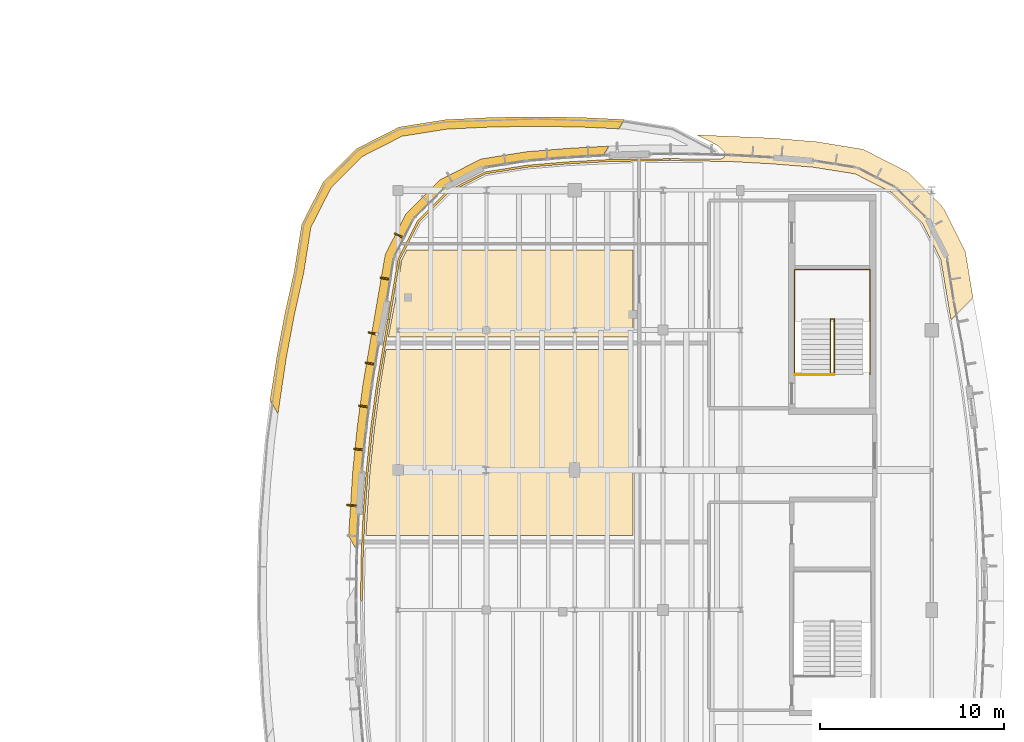
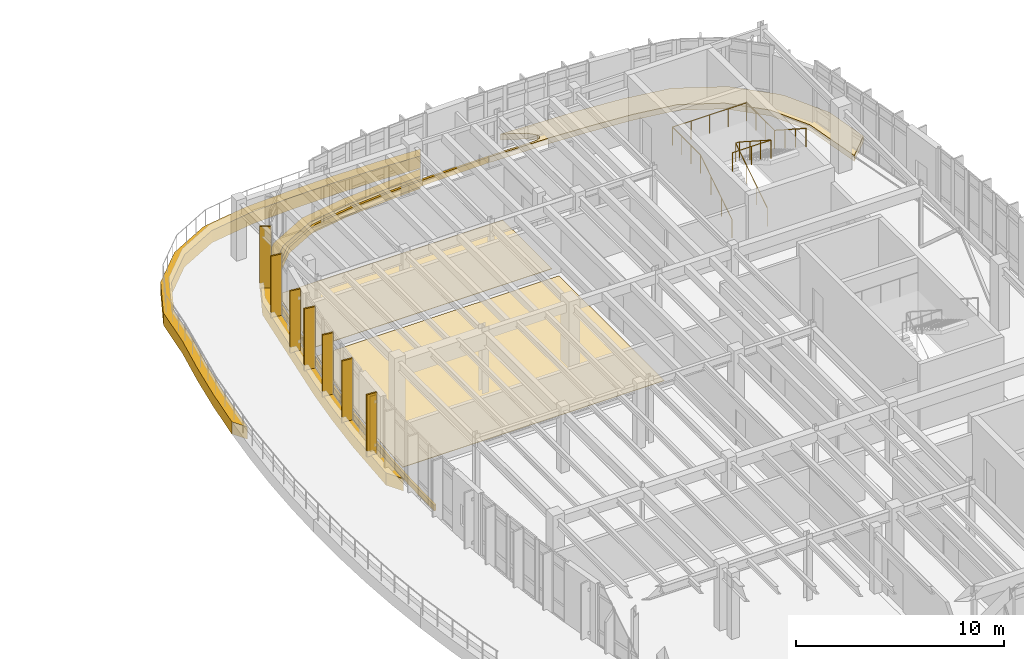
# One storey, part 103 of 105: 14 coverings, 3 railings, 2 shading devices.
"""IFC4 building model written with IfcOpenShell, lengths in metres."""

from ifc_helpers import new_model, si_unit, direction, frame, origin, origin_2d, place, context, subcontext, project, spatial, polyline, rectangle, circle, outline, extrude, material, layer, layer_set, type_object, element, save


model = new_model("IFC4")

# Units and contexts
model_context = context("Model", 3, precision=1e-05, world=origin(), true_north=direction((0.0, 1.0)))
body_context = subcontext(model_context, "Body", "Model", "MODEL_VIEW")
ifc_project = project(units=[si_unit("LENGTHUNIT", "METRE"), si_unit("AREAUNIT", "SQUARE_METRE"), si_unit("VOLUMEUNIT", "CUBIC_METRE"), si_unit("PLANEANGLEUNIT", "RADIAN"), si_unit("MASSUNIT", "GRAM", prefix="KILO")], contexts=[model_context])

# Site, building, storey
site_placement = place(None, origin())
site = spatial("IfcSite", under=ifc_project, at=site_placement, CompositionType="ELEMENT")
building_placement = place(site_placement, origin())
building = spatial("IfcBuilding", under=site, at=building_placement, Name="Corveleigh Park Community Centre", CompositionType="ELEMENT")
storey_placement = place(building_placement, frame((0.0, 0.0, 8.699951171875)))
storey = spatial("IfcBuildingStorey", under=building, at=storey_placement, Name="L02", CompositionType="ELEMENT", Elevation=8.699951171875)

# Coverings
ifc_material_1 = material(Name="Warm buff ribbed architectural cladding", Category="masonry")
ifc_layer_1 = layer(ifc_material_1, 0.0849609375, Name="Warm buff ribbed architectural cladding", Category="masonry")
ifc_layer_set_1 = layer_set([ifc_layer_1], Name="Warm buff ribbed architectural cladding")
covering_type_1 = type_object("IfcCoveringType", Name="COV-CLD-BUF", PredefinedType="CLADDING", material=ifc_layer_set_1)
covering_1_placement = place(storey_placement, origin())
element("IfcCovering", 1, at=covering_1_placement, inside=storey, type_object=covering_type_1, Name="V4 L02 Brise-soleil blade 408", PredefinedType="CLADDING", context=body_context, shape_type="SweptSolid", body=[
    extrude(outline(polyline([(139.7099609375, 101.56103515625), (139.7490234375, 101.636962890625), (139.23193359375, 101.89990234375), (139.193115234375, 101.823974609375), (139.7099609375, 101.56103515625)])), origin(), (0.0, 0.0, 1.0), 3.636962890625),
])
covering_2_placement = place(storey_placement, origin())
element("IfcCovering", 2, at=covering_2_placement, inside=storey, type_object=covering_type_1, Name="V4 L02 Brise-soleil blade 409", PredefinedType="CLADDING", context=body_context, shape_type="SweptSolid", body=[
    extrude(outline(polyline([(138.9970703125, 99.31494140625), (139.010009765625, 99.39892578125), (138.43701171875, 99.489990234375), (138.424072265625, 99.406005859375), (138.9970703125, 99.31494140625)])), origin(), (0.0, 0.0, 1.0), 3.636962890625),
])
covering_3_placement = place(storey_placement, origin())
element("IfcCovering", 3, at=covering_3_placement, inside=storey, type_object=covering_type_1, Name="V4 L02 Brise-soleil blade 410", PredefinedType="CLADDING", context=body_context, shape_type="SweptSolid", body=[
    extrude(outline(polyline([(138.29296875, 96.333984375), (138.30908203125, 96.4169921875), (137.782958984375, 96.51806640625), (137.76708984375, 96.43505859375), (138.29296875, 96.333984375)])), origin(), (0.0, 0.0, 1.0), 3.636962890625),
])
covering_4_placement = place(storey_placement, origin())
element("IfcCovering", 4, at=covering_4_placement, inside=storey, type_object=covering_type_1, Name="V4 L02 Brise-soleil blade 411", PredefinedType="CLADDING", context=body_context, shape_type="SweptSolid", body=[
    extrude(outline(polyline([(138.180908203125, 94.695068359375), (138.195068359375, 94.779052734375), (137.6220703125, 94.8720703125), (137.60791015625, 94.7880859375), (138.180908203125, 94.695068359375)])), origin(), (0.0, 0.0, 1.0), 3.636962890625),
])
covering_5_placement = place(storey_placement, origin())
element("IfcCovering", 5, at=covering_5_placement, inside=storey, type_object=covering_type_1, Name="V4 L02 Brise-soleil blade 412", PredefinedType="CLADDING", context=body_context, shape_type="SweptSolid", body=[
    extrude(outline(polyline([(137.840087890625, 92.3759765625), (137.85107421875, 92.4599609375), (137.27587890625, 92.535888671875), (137.264892578125, 92.451904296875), (137.840087890625, 92.3759765625)])), origin(), (0.0, 0.0, 1.0), 3.636962890625),
])
covering_6_placement = place(storey_placement, origin())
element("IfcCovering", 6, at=covering_6_placement, inside=storey, type_object=covering_type_1, Name="V4 L02 Brise-soleil blade 413", PredefinedType="CLADDING", context=body_context, shape_type="SweptSolid", body=[
    extrude(outline(polyline([(137.568115234375, 90.048095703125), (137.575927734375, 90.132080078125), (136.9990234375, 90.19189453125), (136.990966796875, 90.10693359375), (137.568115234375, 90.048095703125)])), origin(), (0.0, 0.0, 1.0), 3.636962890625),
])
covering_7_placement = place(storey_placement, origin())
element("IfcCovering", 7, at=covering_7_placement, inside=storey, type_object=covering_type_1, Name="V4 L02 Brise-soleil blade 414", PredefinedType="CLADDING", context=body_context, shape_type="SweptSolid", body=[
    extrude(outline(polyline([(137.135986328125, 87.013916015625), (137.14208984375, 87.09912109375), (136.60888671875, 87.137939453125), (136.60302734375, 87.052978515625), (137.135986328125, 87.013916015625)])), origin(), (0.0, 0.0, 1.0), 3.636962890625),
])
ifc_material_2 = material(Name="White architectural fascia cladding", Category="masonry")
ifc_layer_2 = layer(ifc_material_2, 0.074951171875, Name="White architectural fascia cladding", Category="masonry")
ifc_layer_set_2 = layer_set([ifc_layer_2], Name="White architectural fascia cladding")
covering_type_2 = type_object("IfcCoveringType", Name="COV-CLD-WHT", PredefinedType="CLADDING", material=ifc_layer_set_2)
covering_8_placement = place(storey_placement, frame((0.0, 0.0, -0.679931640625)))
element("IfcCovering", 8, at=covering_8_placement, inside=storey, type_object=covering_type_2, Name="Step 2 Library Reading Terrace Sweeping White Edge Band 2", PredefinedType="CLADDING", context=body_context, shape_type="SweptSolid", body=[
    extrude(outline(polyline([(132.446044921875, 92.805908203125), (132.820068359375, 95.219970703125), (133.2548828125, 97.52099609375), (133.760986328125, 99.806884765625), (134.1630859375, 102.345947265625), (135.333984375, 104.64404296875), (137.156005859375, 106.466064453125), (139.4541015625, 107.636962890625), (141.993896484375, 108.0400390625), (144.447021484375, 108.157958984375), (146.89892578125, 108.197021484375), (149.35205078125, 108.157958984375), (151.68408203125, 108.0458984375), (151.39208984375, 107.5390625), (149.3359375, 107.637939453125), (146.89990234375, 107.677001953125), (144.464111328125, 107.637939453125), (142.049072265625, 107.52197265625), (139.615966796875, 107.136962890625), (137.466064453125, 106.041015625), (135.759033203125, 104.333984375), (134.6630859375, 102.18408203125), (134.27392578125, 99.72509765625), (133.763916015625, 97.41796875), (133.3330078125, 95.132080078125), (132.8759765625, 92.05908203125), (132.446044921875, 92.805908203125)])), origin(), (0.0, 0.0, 1.0), 0.719970703125),
])
covering_9_placement = place(storey_placement, frame((0.0, 0.0, -0.679931640625)))
element("IfcCovering", 9, at=covering_9_placement, inside=storey, type_object=covering_type_2, Name="Step 2 Library Reading Terrace Sweeping White Edge Band 3", PredefinedType="CLADDING", context=body_context, shape_type="SweptSolid", body=[
    extrude(outline(polyline([(148.6259765625, 105.958984375), (146.404052734375, 105.77490234375), (144.05908203125, 105.403076171875), (141.946044921875, 104.326904296875), (140.27099609375, 102.65087890625), (139.196044921875, 100.5400390625), (138.0048828125, 93.5791015625), (137.697021484375, 91.2548828125), (137.45703125, 88.924072265625), (137.284912109375, 86.5859375), (137.196044921875, 84.568115234375), (136.712890625, 85.406982421875), (136.93994140625, 88.97705078125), (137.180908203125, 91.322998046875), (137.489013671875, 93.64794921875), (138.701904296875, 100.7041015625), (139.81005859375, 102.89306640625), (141.639892578125, 104.748046875), (143.89794921875, 105.89892578125), (146.35888671875, 106.29296875), (148.596923828125, 106.47802734375), (150.85107421875, 106.60205078125), (150.541015625, 106.06494140625), (148.6259765625, 105.958984375)])), origin(), (0.0, 0.0, 1.0), 0.719970703125),
])
covering_10_placement = place(storey_placement, frame((0.0, 0.0, -0.300048828125)))
element("IfcCovering", 10, at=covering_10_placement, inside=storey, type_object=covering_type_2, Name="V4 L02 Horizontal Sun-Hood 2", PredefinedType="CLADDING", context=body_context, shape_type="SweptSolid", body=[
    extrude(outline(polyline([(159.833984375, 107.031982421875), (162.1640625, 106.8369140625), (164.673095703125, 106.427001953125), (167.083984375, 105.197998046875), (168.89111328125, 103.408935546875), (169.0849609375, 103.14404296875), (170.22705078125, 100.873046875), (170.638916015625, 98.35595703125), (169.444091796875, 97.158935546875), (168.89111328125, 100.43994140625), (167.862060546875, 102.458984375), (166.259033203125, 104.06201171875), (164.239990234375, 105.091064453125), (161.9580078125, 105.451904296875), (159.751953125, 105.635009765625), (157.531982421875, 105.757080078125), (154.2119140625, 105.819091796875), (154.2119140625, 105.9208984375), (156.910888671875, 105.889892578125), (157.10595703125, 105.97998046875), (157.1630859375, 106.114013671875), (157.135009765625, 106.258056640625), (156.777099609375, 106.6279296875), (155.64794921875, 107.2099609375), (159.833984375, 107.031982421875)])), origin(), (0.0, 0.0, 1.0), 0.340087890625),
])
covering_11_placement = place(storey_placement, frame((0.0, 0.0, -0.300048828125)))
element("IfcCovering", 11, at=covering_11_placement, inside=storey, type_object=covering_type_2, Name="V4 L02 Horizontal Sun-Hood 3", PredefinedType="CLADDING", context=body_context, shape_type="SweptSolid", body=[
    extrude(outline(polyline([(139.39794921875, 100.472900390625), (140.443115234375, 102.52587890625), (142.071044921875, 104.155029296875), (144.1240234375, 105.200927734375), (146.428955078125, 105.56689453125), (148.639892578125, 105.75), (150.863037109375, 105.8720703125), (154.18798828125, 105.9208984375), (154.18798828125, 105.819091796875), (150.867919921875, 105.757080078125), (148.64794921875, 105.635009765625), (146.44189453125, 105.451904296875), (144.159912109375, 105.091064453125), (142.14111328125, 104.06201171875), (140.5380859375, 102.458984375), (139.509033203125, 100.43994140625), (138.9560546875, 97.158935546875), (138.84912109375, 97.26611328125), (139.39794921875, 100.472900390625)])), origin(), (0.0, 0.0, 1.0), 0.340087890625),
])
covering_12_placement = place(storey_placement, frame((0.0, 0.0, -0.300048828125)))
element("IfcCovering", 12, at=covering_12_placement, inside=storey, type_object=covering_type_2, Name="V4 L02 Horizontal Sun-Hood 4", PredefinedType="CLADDING", context=body_context, shape_type="SweptSolid", body=[
    extrude(outline(polyline([(137.39208984375, 84.238037109375), (137.4951171875, 86.572998046875), (137.666015625, 88.906005859375), (137.905029296875, 91.23095703125), (138.2119140625, 93.547119140625), (138.843994140625, 97.239990234375), (138.950927734375, 97.134033203125), (138.325927734375, 93.531982421875), (138.02001953125, 91.217041015625), (137.781005859375, 88.89501953125), (137.60888671875, 86.56591796875), (137.507080078125, 84.235107421875), (137.472900390625, 81.907958984375), (137.35791015625, 81.907958984375), (137.39208984375, 84.238037109375)])), origin(), (0.0, 0.0, 1.0), 0.340087890625),
])
ifc_material_3 = material(Name="Acoustic linoleum flooring", Category="wood")
ifc_layer_3 = layer(ifc_material_3, 0.02490234375, Name="Acoustic linoleum flooring", Category="wood")
ifc_layer_set_3 = layer_set([ifc_layer_3], Name="Acoustic linoleum flooring")
covering_type_3 = type_object("IfcCoveringType", Name="COV-FLR-LIN", PredefinedType="FLOORING", material=ifc_layer_set_3)
covering_13_placement = place(storey_placement, origin())
element("IfcCovering", 13, at=covering_13_placement, inside=storey, type_object=covering_type_3, Name="Local History Archive and Study flooring", PredefinedType="FLOORING", context=body_context, shape_type="SweptSolid", body=[
    extrude(outline(polyline([(138.4150390625, 93.51904296875), (138.7470703125, 95.56005859375), (152.159912109375, 95.56005859375), (152.159912109375, 85.43994140625), (137.64990234375, 85.43994140625), (137.8701171875, 88.886962890625), (138.10888671875, 91.20703125), (138.4150390625, 93.51904296875)])), origin(), (0.0, 0.0, 1.0), 0.025146484375),
])
covering_14_placement = place(storey_placement, origin())
element("IfcCovering", 14, at=covering_14_placement, inside=storey, type_object=covering_type_3, Name="Library Staff Workroom flooring", PredefinedType="FLOORING", context=body_context, shape_type="SweptSolid", body=[
    extrude(outline(polyline([(139.23388671875, 98.126953125), (139.595947265625, 100.410888671875), (139.875, 100.9599609375), (152.159912109375, 100.9599609375), (152.159912109375, 96.239990234375), (138.8701171875, 96.239990234375), (139.23388671875, 98.126953125)])), origin(), (0.0, 0.0, 1.0), 0.025146484375),
])

# Railings
ifc_material_4 = material(Name="Stainless steel 316 balustrade", Category="steel")
railing_type = type_object("IfcRailingType", Name="RLG-BAL-INT-1100", PredefinedType="BALUSTRADE", material=ifc_material_4)
railing_1_placement = place(storey_placement, frame((162.89990234375, 94.179931640625, 0.0)))
element("IfcRailing", 15, at=railing_1_placement, inside=storey, type_object=railing_type, Name="Stair ST2 inner guard L02", PredefinedType="BALUSTRADE", context=body_context, shape_type="SweptSolid", body=[
    extrude(circle(Radius=0.02392578125, at=origin_2d()), frame((0.0, 0.0, 1.076171875), z_axis=(0.0, 0.84051886652, 0.541782276402), x_axis=(-1.0, 0.0, 0.0)), (0.0, 0.0, 1.0), 3.59912109375),
    extrude(circle(Radius=0.02392578125, at=origin_2d()), frame((0.0, 3.025146484375, 3.02587890625), z_axis=(1.0, 0.0, 0.0), x_axis=(0.0, 1.0, 0.0)), (0.0, 0.0, 1.0), 0.2001953125),
    extrude(circle(Radius=0.02392578125, at=origin_2d()), frame((0.2001953125, 3.025146484375, 3.02587890625), z_axis=(0.0, -0.840487976612, 0.541830195882), x_axis=(1.0, 0.0, 0.0)), (0.0, 0.0, 1.0), 3.599365234375),
    extrude(circle(Radius=0.02099609375, at=origin_2d()), origin(), (0.0, 0.0, 1.0), 1.052001953125),
    extrude(circle(Radius=0.02099609375, at=origin_2d()), frame((0.0, 1.00830078125, 0.64990234375)), (0.0, 0.0, 1.0), 1.052001953125),
    extrude(circle(Radius=0.02099609375, at=origin_2d()), frame((0.0, 2.016845703125, 1.300048828125)), (0.0, 0.0, 1.0), 1.052001953125),
    extrude(circle(Radius=0.02099609375, at=origin_2d()), frame((0.0, 3.025146484375, 1.949951171875)), (0.0, 0.0, 1.0), 1.052001953125),
    extrude(circle(Radius=0.02099609375, at=origin_2d()), frame((0.2001953125, 3.025146484375, 1.949951171875)), (0.0, 0.0, 1.0), 1.052001953125),
    extrude(circle(Radius=0.02099609375, at=origin_2d()), frame((0.2001953125, 2.016845703125, 2.60009765625)), (0.0, 0.0, 1.0), 1.052001953125),
    extrude(circle(Radius=0.02099609375, at=origin_2d()), frame((0.2001953125, 1.00830078125, 3.25)), (0.0, 0.0, 1.0), 1.052001953125),
    extrude(circle(Radius=0.02099609375, at=origin_2d()), frame((0.2001953125, 0.0, 3.900146484375)), (0.0, 0.0, 1.0), 1.052001953125),
])
railing_2_placement = place(storey_placement, frame((160.967041015625, 94.179931640625, 3.900146484375)))
element("IfcRailing", 16, at=railing_2_placement, inside=storey, type_object=railing_type, Name="Stair ST2 landing guard L02", PredefinedType="BALUSTRADE", context=body_context, shape_type="SweptSolid", body=[
    extrude(circle(Radius=0.02392578125, at=origin_2d()), frame((0.0, 0.0, 1.076171875), z_axis=(1.0, 0.0, 0.0), x_axis=(0.0, 1.0, 0.0)), (0.0, 0.0, 1.0), 2.133056640625),
    extrude(circle(Radius=0.02099609375, at=origin_2d()), origin(), (0.0, 0.0, 1.0), 1.052001953125),
    extrude(circle(Radius=0.02099609375, at=origin_2d()), frame((1.06640625, 0.0, 0.0)), (0.0, 0.0, 1.0), 1.052001953125),
    extrude(circle(Radius=0.02099609375, at=origin_2d()), frame((2.133056640625, 0.0, 0.0)), (0.0, 0.0, 1.0), 1.052001953125),
])
railing_3_placement = place(storey_placement, frame((160.947021484375, 94.179931640625, 0.0)))
element("IfcRailing", 17, at=railing_3_placement, inside=storey, type_object=railing_type, Name="Stair ST2 perimeter guard L02", PredefinedType="BALUSTRADE", context=body_context, shape_type="SweptSolid", body=[
    extrude(circle(Radius=0.02392578125, at=origin_2d()), frame((0.0, 0.0, 1.076171875), z_axis=(0.0, 0.84051886652, 0.541782276402), x_axis=(-1.0, 0.0, 0.0)), (0.0, 0.0, 1.0), 3.59912109375),
    extrude(circle(Radius=0.02392578125, at=origin_2d()), frame((0.0, 3.025146484375, 3.02587890625), z_axis=(0.0, 1.0, 0.0), x_axis=(-1.0, 0.0, 0.0)), (0.0, 0.0, 1.0), 2.68798828125),
    extrude(circle(Radius=0.02392578125, at=origin_2d()), frame((0.0, 5.713134765625, 3.02587890625), z_axis=(1.0, 0.0, 0.0), x_axis=(0.0, 1.0, 0.0)), (0.0, 0.0, 1.0), 4.10595703125),
    extrude(circle(Radius=0.02392578125, at=origin_2d()), frame((4.10595703125, 5.713134765625, 3.02587890625), z_axis=(0.0, -1.0, 0.0), x_axis=(1.0, 0.0, 0.0)), (0.0, 0.0, 1.0), 2.68798828125),
    extrude(circle(Radius=0.02392578125, at=origin_2d()), frame((4.10595703125, 3.025146484375, 3.02587890625), z_axis=(0.0, -0.840487976612, 0.541830195882), x_axis=(1.0, 0.0, 0.0)), (0.0, 0.0, 1.0), 3.599365234375),
    extrude(circle(Radius=0.02099609375, at=origin_2d()), origin(), (0.0, 0.0, 1.0), 1.052001953125),
    extrude(circle(Radius=0.02099609375, at=origin_2d()), frame((0.0, 1.00830078125, 0.64990234375)), (0.0, 0.0, 1.0), 1.052001953125),
    extrude(circle(Radius=0.02099609375, at=origin_2d()), frame((0.0, 2.016845703125, 1.300048828125)), (0.0, 0.0, 1.0), 1.052001953125),
    extrude(circle(Radius=0.02099609375, at=origin_2d()), frame((0.0, 3.025146484375, 1.949951171875)), (0.0, 0.0, 1.0), 1.052001953125),
    extrude(circle(Radius=0.02099609375, at=origin_2d()), frame((0.0, 3.921142578125, 1.949951171875)), (0.0, 0.0, 1.0), 1.052001953125),
    extrude(circle(Radius=0.02099609375, at=origin_2d()), frame((0.0, 4.817138671875, 1.949951171875)), (0.0, 0.0, 1.0), 1.052001953125),
    extrude(circle(Radius=0.02099609375, at=origin_2d()), frame((0.0, 5.713134765625, 1.949951171875)), (0.0, 0.0, 1.0), 1.052001953125),
    extrude(circle(Radius=0.02099609375, at=origin_2d()), frame((1.0263671875, 5.713134765625, 1.949951171875)), (0.0, 0.0, 1.0), 1.052001953125),
    extrude(circle(Radius=0.02099609375, at=origin_2d()), frame((2.052978515625, 5.713134765625, 1.949951171875)), (0.0, 0.0, 1.0), 1.052001953125),
    extrude(circle(Radius=0.02099609375, at=origin_2d()), frame((3.07958984375, 5.713134765625, 1.949951171875)), (0.0, 0.0, 1.0), 1.052001953125),
    extrude(circle(Radius=0.02099609375, at=origin_2d()), frame((4.10595703125, 5.713134765625, 1.949951171875)), (0.0, 0.0, 1.0), 1.052001953125),
    extrude(circle(Radius=0.02099609375, at=origin_2d()), frame((4.10595703125, 4.817138671875, 1.949951171875)), (0.0, 0.0, 1.0), 1.052001953125),
    extrude(circle(Radius=0.02099609375, at=origin_2d()), frame((4.10595703125, 3.921142578125, 1.949951171875)), (0.0, 0.0, 1.0), 1.052001953125),
    extrude(circle(Radius=0.02099609375, at=origin_2d()), frame((4.10595703125, 3.025146484375, 1.949951171875)), (0.0, 0.0, 1.0), 1.052001953125),
    extrude(circle(Radius=0.02099609375, at=origin_2d()), frame((4.10595703125, 2.016845703125, 2.60009765625)), (0.0, 0.0, 1.0), 1.052001953125),
    extrude(circle(Radius=0.02099609375, at=origin_2d()), frame((4.10595703125, 1.00830078125, 3.25)), (0.0, 0.0, 1.0), 1.052001953125),
    extrude(circle(Radius=0.02099609375, at=origin_2d()), frame((4.10595703125, 0.0, 3.900146484375)), (0.0, 0.0, 1.0), 1.052001953125),
])

# Shading devices
ifc_material_5 = material(Name="Terracotta-anodised aluminium fin", Category="masonry")
shading_device_type_1 = type_object("IfcShadingDeviceType", Name="SHD-FIN-TER-350", PredefinedType="USERDEFINED", material=ifc_material_5)
shading_device_1_placement = place(storey_placement, frame((136.949951171875, 87.070068359375, 0.25), z_axis=(0.0, 0.0, 1.0), x_axis=(-0.997328381483, 0.073048610443, 0.0)))
element("IfcShadingDevice", 18, at=shading_device_1_placement, inside=storey, type_object=shading_device_type_1, Name="Terracotta brise-soleil fin 85", ObjectType="FIN", PredefinedType="USERDEFINED", context=body_context, shape_type="SweptSolid", body=[
    extrude(rectangle(XDim=0.35009765625, YDim=0.06005859375, at=origin_2d()), origin(), (0.0, 0.0, 1.0), 3.237060546875),
])
shading_device_type_2 = type_object("IfcShadingDeviceType", Name="SHD-FIN-TER-450", PredefinedType="USERDEFINED", material=ifc_material_5)
shading_device_2_placement = place(storey_placement, frame((138.114013671875, 96.410888671875, 0.25), z_axis=(0.0, 0.0, 1.0), x_axis=(-0.981960439775, 0.189086474176, 0.0)))
element("IfcShadingDevice", 19, at=shading_device_2_placement, inside=storey, type_object=shading_device_type_2, Name="Terracotta brise-soleil fin 84", ObjectType="FIN", PredefinedType="USERDEFINED", context=body_context, shape_type="SweptSolid", body=[
    extrude(rectangle(XDim=0.449951171875, YDim=0.06494140625, at=origin_2d()), origin(), (0.0, 0.0, 1.0), 3.237060546875),
])

save(model, "model.ifc")
